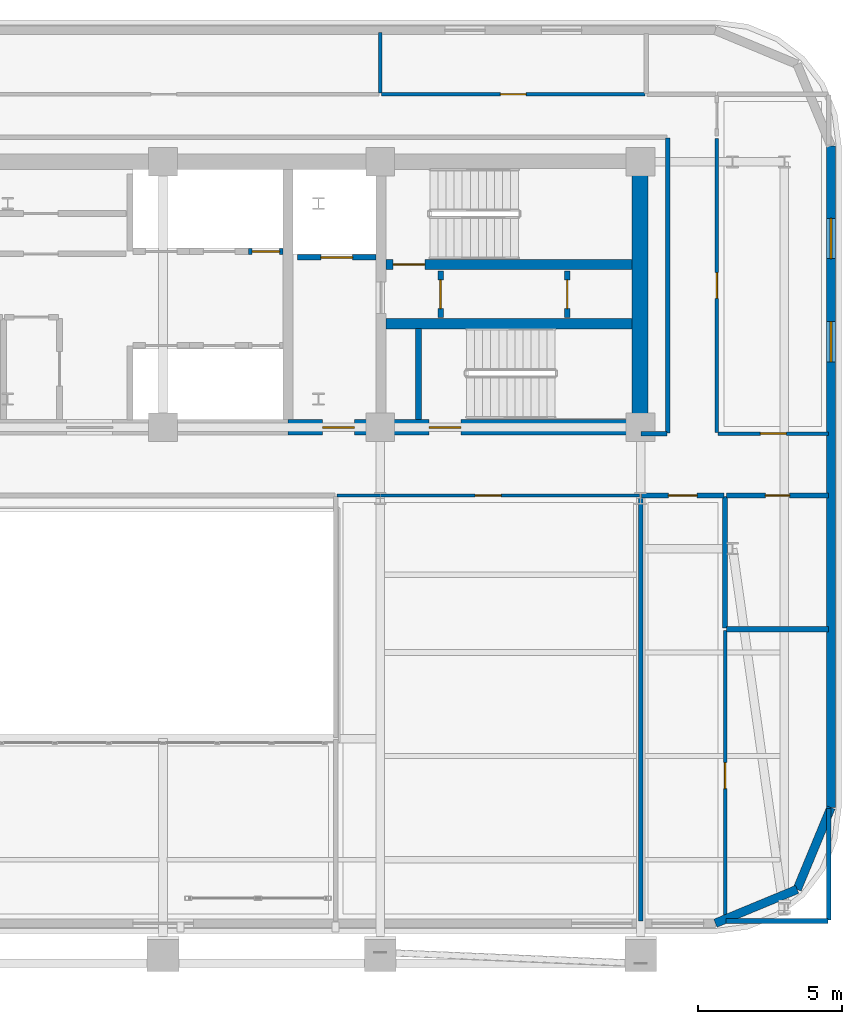
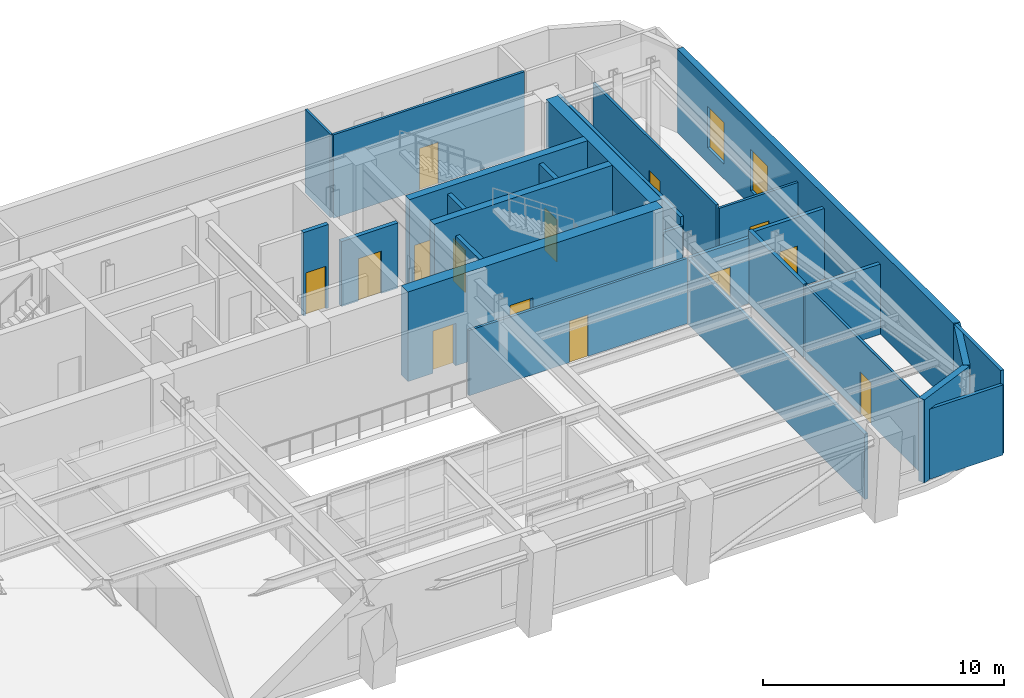
# One storey, part 8 of 13: 27 walls, 14 doors, 2 windows, 16 openings.
"""IFC4 building model written with IfcOpenShell, lengths in metres."""

from ifc_helpers import new_model, si_unit, direction, frame, frame_2d, origin, place, context, subcontext, project, spatial, rectangle, extrude, material, layer, layer_set, type_object, element, fill, save


model = new_model("IFC4")

# Units and contexts
model_context = context("Model", 3, precision=1e-05, world=origin(), true_north=direction((0.0, 1.0)))
body_context = subcontext(model_context, "Body", "Model", "MODEL_VIEW")
ifc_project = project(units=[si_unit("LENGTHUNIT", "METRE"), si_unit("AREAUNIT", "SQUARE_METRE"), si_unit("VOLUMEUNIT", "CUBIC_METRE"), si_unit("PLANEANGLEUNIT", "RADIAN"), si_unit("MASSUNIT", "GRAM", prefix="KILO")], contexts=[model_context])

# Site, building, storey
site_placement = place(None, origin())
site = spatial("IfcSite", under=ifc_project, at=site_placement, CompositionType="ELEMENT")
building_placement = place(site_placement, origin())
building = spatial("IfcBuilding", under=site, at=building_placement, Name="Zarnavel Station Tower", CompositionType="ELEMENT")
storey_placement = place(building_placement, frame((0.0, 0.0, 183.85009765625)))
storey = spatial("IfcBuildingStorey", under=building, at=storey_placement, Name="L50", CompositionType="ELEMENT", Elevation=183.85009765625)

# Wall, opening, door
ifc_material_1 = material(Name="Concrete C50/60", Category="concrete")
ifc_layer_1 = layer(ifc_material_1, 0.35009765625)
ifc_layer_set_1 = layer_set([ifc_layer_1], Name="CW_350")
wall_type_1 = type_object("IfcWallType", Name="CW_350", PredefinedType="SHEAR", material=ifc_layer_set_1)
wall_1_placement = place(storey_placement, frame((45.10498046875, 33.47998046875, 0.0), z_axis=(0.0, 0.0, 1.0), x_axis=(-1.0, 0.0, 0.0)))
wall_1 = element("IfcWall", 1, at=wall_1_placement, inside=storey, type_object=wall_type_1, Name="L50 Rear Core Shear Wall DIV-H2", PredefinedType="SHEAR", context=body_context, shape_type="SweptSolid", body=[
    extrude(rectangle(XDim=8.550048828125, YDim=0.35009765625, at=frame_2d((4.27490234375, 0.0))), origin(), (0.0, 0.0, 1.0), 4.5498046875),
])
opening_1_placement = place(wall_1_placement, frame((7.205078125, 0.0, 0.0)))
opening_1 = element("IfcOpeningElement", 2, at=opening_1_placement, cuts=wall_1, Name="Opening FD01", PredefinedType="OPENING", context=body_context, shape_type="SweptSolid", body=[
    extrude(rectangle(XDim=1.10009765625, YDim=2.14990234375, at=frame_2d((0.550048828125, 1.074951171875))), frame((0.0, 0.18505859375, 0.0), z_axis=(0.0, -1.0, 0.0), x_axis=(1.0, 0.0, 0.0)), (0.0, 0.0, 1.0), 0.3701171875),
])
ifc_material_2 = material(Name="Painted Galvanised Steel and Hardwood Leaf", Category="steel")
door_type_1 = type_object("IfcDoorType", Name="ID_STAIR_1100", OperationType="NOTDEFINED", PredefinedType="DOOR", material=ifc_material_2)
door_1_placement = place(opening_1_placement, origin())
door_1 = element("IfcDoor", 3, at=door_1_placement, inside=storey, type_object=door_type_1, Name="L50 Stair ST2 Lobby Fire Door", OperationType="SINGLE_SWING_RIGHT", OverallHeight=2.14990234375, OverallWidth=1.10009765625, PredefinedType="DOOR", context=body_context, shape_type="SweptSolid", body=[
    extrude(rectangle(XDim=1.10009765625, YDim=2.14990234375, at=frame_2d((0.550048828125, 1.074951171875))), frame((0.0, 0.02490234375, 0.0), z_axis=(0.0, -1.0, 0.0), x_axis=(1.0, 0.0, 0.0)), (0.0, 0.0, 1.0), 0.050048828125),
])
fill(opening_1, door_1)

# Wall
wall_2_placement = place(storey_placement, frame((36.554931640625, 31.419921875, 0.0), z_axis=(0.0, 0.0, 1.0), x_axis=(1.0, 0.0, 0.0)))
element("IfcWall", 4, at=wall_2_placement, inside=storey, type_object=wall_type_1, Name="L50 Rear Core Shear Wall DIV-H3", PredefinedType="SHEAR", context=body_context, shape_type="SweptSolid", body=[
    extrude(rectangle(XDim=8.550048828125, YDim=0.35009765625, at=frame_2d((4.27490234375, 0.0))), origin(), (0.0, 0.0, 1.0), 4.5498046875),
])

# Wall, openings, doors
ifc_material_3 = material(Name="Concrete C50/60", Category="concrete")
ifc_layer_2 = layer(ifc_material_3, 0.550048828125)
ifc_layer_set_2 = layer_set([ifc_layer_2], Name="CW_550")
wall_type_2 = type_object("IfcWallType", Name="CW_550", PredefinedType="SHEAR", material=ifc_layer_set_2)
wall_3_placement = place(storey_placement, frame((45.3798828125, 27.820068359375, 0.0), z_axis=(0.0, 0.0, 1.0), x_axis=(-1.0, 0.0, 0.0)))
wall_3 = element("IfcWall", 5, at=wall_3_placement, inside=storey, type_object=wall_type_2, Name="L50 Rear Core Shear Wall S-E", PredefinedType="SHEAR", context=body_context, shape_type="SweptSolid", body=[
    extrude(rectangle(XDim=12.22998046875, YDim=0.550048828125, at=frame_2d((6.114990234375, 0.0))), origin(), (0.0, 0.0, 1.0), 4.5498046875),
])
opening_2_placement = place(wall_3_placement, frame((9.929931640625, 0.0, 0.0)))
opening_2 = element("IfcOpeningElement", 6, at=opening_2_placement, cuts=wall_3, Name="Opening FD01", PredefinedType="OPENING", context=body_context, shape_type="SweptSolid", body=[
    extrude(rectangle(XDim=1.10009765625, YDim=2.14990234375, at=frame_2d((0.550048828125, 1.074951171875))), frame((0.0, 0.284912109375, 0.0), z_axis=(0.0, -1.0, 0.0), x_axis=(1.0, 0.0, 0.0)), (0.0, 0.0, 1.0), 0.570068359375),
])
opening_3_placement = place(wall_3_placement, frame((6.22998046875, 0.0, 0.0)))
opening_3 = element("IfcOpeningElement", 7, at=opening_3_placement, cuts=wall_3, Name="Opening FD01", PredefinedType="OPENING", context=body_context, shape_type="SweptSolid", body=[
    extrude(rectangle(XDim=1.10009765625, YDim=2.14990234375, at=frame_2d((0.550048828125, 1.074951171875))), frame((0.0, 0.284912109375, 0.0), z_axis=(0.0, -1.0, 0.0), x_axis=(1.0, 0.0, 0.0)), (0.0, 0.0, 1.0), 0.570068359375),
])
door_2_placement = place(opening_2_placement, origin())
door_2 = element("IfcDoor", 8, at=door_2_placement, inside=storey, type_object=door_type_1, Name="L50 East Firefighting Lobby Door", OperationType="SINGLE_SWING_LEFT", OverallHeight=2.14990234375, OverallWidth=1.10009765625, PredefinedType="DOOR", context=body_context, shape_type="SweptSolid", body=[
    extrude(rectangle(XDim=1.10009765625, YDim=2.14990234375, at=frame_2d((0.550048828125, 1.074951171875))), frame((0.0, 0.02490234375, 0.0), z_axis=(0.0, -1.0, 0.0), x_axis=(1.0, 0.0, 0.0)), (0.0, 0.0, 1.0), 0.050048828125),
])
fill(opening_2, door_2)
door_3_placement = place(opening_3_placement, origin())
door_3 = element("IfcDoor", 9, at=door_3_placement, inside=storey, type_object=door_type_1, Name="L50 Stair ST3 Corridor Fire Door", OperationType="SINGLE_SWING_RIGHT", OverallHeight=2.14990234375, OverallWidth=1.10009765625, PredefinedType="DOOR", context=body_context, shape_type="SweptSolid", body=[
    extrude(rectangle(XDim=1.10009765625, YDim=2.14990234375, at=frame_2d((0.550048828125, 1.074951171875))), frame((0.0, 0.02490234375, 0.0), z_axis=(0.0, -1.0, 0.0), x_axis=(1.0, 0.0, 0.0)), (0.0, 0.0, 1.0), 0.050048828125),
])
fill(opening_3, door_3)

# Walls
wall_4_placement = place(storey_placement, frame((45.3798828125, 28.094970703125, 0.0), z_axis=(0.0, 0.0, 1.0), x_axis=(0.0, 1.0, 0.0)))
element("IfcWall", 10, at=wall_4_placement, inside=storey, type_object=wall_type_2, Name="L50 Rear Core Shear Wall E", PredefinedType="SHEAR", context=body_context, shape_type="SweptSolid", body=[
    extrude(rectangle(XDim=8.679931640625, YDim=0.550048828125, at=frame_2d((4.33984375, 0.0))), origin(), (0.0, 0.0, 1.0), 4.5498046875),
])
ifc_material_4 = material(Name="Precast concrete C45/55 (Dark Basalt Finish)", Category="masonry")
ifc_layer_3 = layer(ifc_material_4, 0.300048828125)
ifc_layer_set_3 = layer_set([ifc_layer_3], Name="EW_BASALT_300")
wall_type_3 = type_object("IfcWallType", Name="EW_BASALT_300", PredefinedType="SOLIDWALL", material=ifc_layer_set_3)
wall_5_placement = place(storey_placement, frame((50.842529296875, 11.75732421875, 0.0), z_axis=(0.0, 0.0, 1.0), x_axis=(-0.92389884758, -0.382636798336, 0.0)))
element("IfcWall", 11, at=wall_5_placement, inside=storey, type_object=wall_type_3, Name="L50 Exterior Basalt Masonry Frame Wall 01", PredefinedType="SOLIDWALL", context=body_context, shape_type="SweptSolid", body=[
    extrude(rectangle(XDim=3.07666015625, YDim=0.300048828125, at=frame_2d((1.538330078125, 0.0))), origin(), (0.0, 0.0, 1.0), 4.22998046875),
])
wall_6_placement = place(storey_placement, frame((52.02001953125, 14.60009765625, 0.0), z_axis=(0.0, 0.0, 1.0), x_axis=(-0.382676475685, -0.923882414032, 0.0)))
element("IfcWall", 12, at=wall_6_placement, inside=storey, type_object=wall_type_3, Name="L50 Exterior Basalt Masonry Frame Wall 02", PredefinedType="SOLIDWALL", context=body_context, shape_type="SweptSolid", body=[
    extrude(rectangle(XDim=3.076904296875, YDim=0.300048828125, at=frame_2d((1.53857421875, 0.0))), origin(), (0.0, 0.0, 1.0), 4.22998046875),
])

# Wall, openings, windows
wall_7_placement = place(storey_placement, frame((52.02001953125, 37.60009765625, 0.0), z_axis=(0.0, 0.0, 1.0), x_axis=(0.0, -1.0, 0.0)))
wall_7 = element("IfcWall", 13, at=wall_7_placement, inside=storey, type_object=wall_type_3, Name="L50 Exterior Basalt Masonry Frame Wall 03", PredefinedType="SOLIDWALL", context=body_context, shape_type="SweptSolid", body=[
    extrude(rectangle(XDim=23.0, YDim=0.300048828125, at=frame_2d((11.5, 0.0))), origin(), (0.0, 0.0, 1.0), 4.22998046875),
])
opening_4_placement = place(wall_7_placement, frame((2.51318359375, 0.0, 0.75)))
opening_4 = element("IfcOpeningElement", 14, at=opening_4_placement, cuts=wall_7, Name="Opening WN04", PredefinedType="OPENING", context=body_context, shape_type="SweptSolid", body=[
    extrude(rectangle(XDim=1.39990234375, YDim=2.10009765625, at=frame_2d((0.699951171875, 1.050048828125))), frame((0.0, 0.159912109375, 0.0), z_axis=(0.0, -1.0, 0.0), x_axis=(1.0, 0.0, 0.0)), (0.0, 0.0, 1.0), 0.320068359375),
])
opening_5_placement = place(wall_7_placement, frame((6.106689453125, 0.0, 0.75)))
opening_5 = element("IfcOpeningElement", 15, at=opening_5_placement, cuts=wall_7, Name="Opening WN04", PredefinedType="OPENING", context=body_context, shape_type="SweptSolid", body=[
    extrude(rectangle(XDim=1.39990234375, YDim=2.10009765625, at=frame_2d((0.699951171875, 1.050048828125))), frame((0.0, 0.159912109375, 0.0), z_axis=(0.0, -1.0, 0.0), x_axis=(1.0, 0.0, 0.0)), (0.0, 0.0, 1.0), 0.320068359375),
])
ifc_material_5 = material(Name="Thermally Broken Black Aluminium and Low-E Dark Glass", Category="aluminium")
window_type = type_object("IfcWindowType", Name="WN_1400x2100", PartitioningType="DOUBLE_PANEL_VERTICAL", PredefinedType="WINDOW", material=ifc_material_5)
window_1_placement = place(opening_4_placement, origin())
window_1 = element("IfcWindow", 16, at=window_1_placement, inside=storey, type_object=window_type, Name="L50 Recessed Facade Window 01", OverallHeight=2.10009765625, OverallWidth=1.39990234375, PartitioningType="SINGLE_PANEL", PredefinedType="WINDOW", context=body_context, shape_type="SweptSolid", body=[
    extrude(rectangle(XDim=1.39990234375, YDim=2.10009765625, at=frame_2d((0.699951171875, 1.050048828125))), frame((0.0, 0.030029296875, 0.0), z_axis=(0.0, -1.0, 0.0), x_axis=(1.0, 0.0, 0.0)), (0.0, 0.0, 1.0), 0.06005859375),
])
fill(opening_4, window_1)
window_2_placement = place(opening_5_placement, origin())
window_2 = element("IfcWindow", 17, at=window_2_placement, inside=storey, type_object=window_type, Name="L50 Recessed Facade Window 02", OverallHeight=2.10009765625, OverallWidth=1.39990234375, PartitioningType="SINGLE_PANEL", PredefinedType="WINDOW", context=body_context, shape_type="SweptSolid", body=[
    extrude(rectangle(XDim=1.39990234375, YDim=2.10009765625, at=frame_2d((0.699951171875, 1.050048828125))), frame((0.0, 0.030029296875, 0.0), z_axis=(0.0, -1.0, 0.0), x_axis=(1.0, 0.0, 0.0)), (0.0, 0.0, 1.0), 0.06005859375),
])
fill(opening_5, window_2)

# Wall, opening, door
ifc_material_6 = material(Name="Gypsum Twin-Stud Acoustic Fire Partition", Category="concrete")
ifc_layer_4 = layer(ifc_material_6, 0.159912109375)
ifc_layer_set_4 = layer_set([ifc_layer_4], Name="PT_DEMISE_160")
wall_type_4 = type_object("IfcWallType", Name="PT_DEMISE_160", PredefinedType="PARTITIONING", material=ifc_layer_set_4)
wall_8_placement = place(storey_placement, frame((45.43994140625, 25.449951171875, 0.0), z_axis=(0.0, 0.0, 1.0), x_axis=(1.0, 0.0, 0.0)))
wall_8 = element("IfcWall", 18, at=wall_8_placement, inside=storey, type_object=wall_type_4, Name="L50 Partition SLCOR-S-SLCON", PredefinedType="PARTITIONING", context=body_context, shape_type="SweptSolid", body=[
    extrude(rectangle(XDim=2.860107421875, YDim=0.159912109375, at=frame_2d((1.43017578125, 0.0))), origin(), (0.0, 0.0, 1.0), 3.309814453125),
])
opening_6_placement = place(wall_8_placement, frame((0.929931640625, 0.0, 0.0)))
opening_6 = element("IfcOpeningElement", 19, at=opening_6_placement, cuts=wall_8, Name="Opening FD02", PredefinedType="OPENING", context=body_context, shape_type="SweptSolid", body=[
    extrude(rectangle(XDim=1.0, YDim=2.14990234375, at=frame_2d((0.5, 1.074951171875))), frame((0.0, 0.08984375, 0.0), z_axis=(0.0, -1.0, 0.0), x_axis=(1.0, 0.0, 0.0)), (0.0, 0.0, 1.0), 0.179931640625),
])
ifc_material_7 = material(Name="Painted Galvanised Steel and Hardwood Leaf", Category="steel")
door_type_2 = type_object("IfcDoorType", Name="ID_ENTRY_1000", OperationType="NOTDEFINED", PredefinedType="DOOR", material=ifc_material_7)
door_4_placement = place(opening_6_placement, origin())
door_4 = element("IfcDoor", 20, at=door_4_placement, inside=storey, type_object=door_type_2, Name="L50 Door SLCOR-S-SLCON", OperationType="SINGLE_SWING_RIGHT", OverallHeight=2.14990234375, OverallWidth=1.0, PredefinedType="DOOR", context=body_context, shape_type="SweptSolid", body=[
    extrude(rectangle(XDim=1.0, YDim=2.14990234375, at=frame_2d((0.5, 1.074951171875))), frame((0.0, 0.02490234375, 0.0), z_axis=(0.0, -1.0, 0.0), x_axis=(1.0, 0.0, 0.0)), (0.0, 0.0, 1.0), 0.050048828125),
])
fill(opening_6, door_4)

# Walls
wall_9_placement = place(storey_placement, frame((45.39990234375, 10.659912109375, 0.0), z_axis=(0.0, 0.0, 1.0), x_axis=(0.0, 1.0, 0.0)))
element("IfcWall", 21, at=wall_9_placement, inside=storey, type_object=wall_type_4, Name="L50 Partition SLSAL-SLCON", PredefinedType="PARTITIONING", context=body_context, shape_type="SweptSolid", body=[
    extrude(rectangle(XDim=14.75, YDim=0.159912109375, at=frame_2d((7.375, 0.0))), origin(), (0.0, 0.0, 1.0), 3.309814453125),
])
wall_10_placement = place(storey_placement, frame((45.409912109375, 27.60009765625, 0.0), z_axis=(0.0, 0.0, 1.0), x_axis=(1.0, 0.0, 0.0)))
element("IfcWall", 22, at=wall_10_placement, inside=storey, type_object=wall_type_4, Name="L50 Enclosure Wall SLCOR-S", PredefinedType="PARTITIONING", context=body_context, shape_type="SweptSolid", body=[
    extrude(rectangle(XDim=0.91015625, YDim=0.159912109375, at=frame_2d((0.455078125, 0.0))), origin(), (0.0, 0.0, 1.0), 3.2998046875),
])
wall_11_placement = place(storey_placement, frame((46.35009765625, 27.6298828125, 0.0), z_axis=(0.0, 0.0, 1.0), x_axis=(0.0, 1.0, 0.0)))
element("IfcWall", 23, at=wall_11_placement, inside=storey, type_object=wall_type_4, Name="L50 Enclosure Wall SLCOR-E", PredefinedType="PARTITIONING", context=body_context, shape_type="SweptSolid", body=[
    extrude(rectangle(XDim=10.240234375, YDim=0.159912109375, at=frame_2d((5.1201171875, 0.0))), origin(), (0.0, 0.0, 1.0), 3.7099609375),
])
wall_12_placement = place(storey_placement, frame((48.3701171875, 10.659912109375, 0.0), z_axis=(0.0, 0.0, 1.0), x_axis=(1.0, 0.0, 0.0)))
element("IfcWall", 24, at=wall_12_placement, inside=storey, type_object=wall_type_4, Name="L50 Enclosure Wall SLSTR", PredefinedType="PARTITIONING", context=body_context, shape_type="SweptSolid", body=[
    extrude(rectangle(XDim=3.539794921875, YDim=0.159912109375, at=frame_2d((1.77001953125, 0.0))), origin(), (0.0, 0.0, 1.0), 3.559814453125),
])
wall_13_placement = place(storey_placement, frame((51.93994140625, 10.68994140625, 0.0), z_axis=(0.0, 0.0, 1.0), x_axis=(0.0, 1.0, 0.0)))
element("IfcWall", 25, at=wall_13_placement, inside=storey, type_object=wall_type_4, Name="L50 Enclosure Wall SLSTR", PredefinedType="PARTITIONING", context=body_context, shape_type="SweptSolid", body=[
    extrude(rectangle(XDim=3.880126953125, YDim=0.159912109375, at=frame_2d((1.93994140625, 0.0))), origin(), (0.0, 0.0, 1.0), 4.22998046875),
])

# Wall, opening, door
ifc_material_8 = material(Name="Gypsum Metal-Stud Interior Partition", Category="concrete")
ifc_layer_5 = layer(ifc_material_8, 0.1201171875)
ifc_layer_set_5 = layer_set([ifc_layer_5], Name="PT_ROOM_120")
wall_type_5 = type_object("IfcWallType", Name="PT_ROOM_120", PredefinedType="PARTITIONING", material=ifc_layer_set_5)
wall_14_placement = place(storey_placement, frame((34.840087890625, 25.449951171875, 0.0), z_axis=(0.0, 0.0, 1.0), x_axis=(1.0, 0.0, 0.0)))
wall_14 = element("IfcWall", 26, at=wall_14_placement, inside=storey, type_object=wall_type_5, Name="L50 Partition SLCOR-S-SLSAL", PredefinedType="PARTITIONING", context=body_context, shape_type="SweptSolid", body=[
    extrude(rectangle(XDim=10.52001953125, YDim=0.1201171875, at=frame_2d((5.260009765625, 0.0))), origin(), (0.0, 0.0, 1.0), 3.309814453125),
])
opening_7_placement = place(wall_14_placement, frame((4.81005859375, 0.0, 0.0)))
opening_7 = element("IfcOpeningElement", 27, at=opening_7_placement, cuts=wall_14, Name="Opening ID01", PredefinedType="OPENING", context=body_context, shape_type="SweptSolid", body=[
    extrude(rectangle(XDim=0.89990234375, YDim=2.10009765625, at=frame_2d((0.449951171875, 1.050048828125))), frame((0.0, 0.070068359375, 0.0), z_axis=(0.0, -1.0, 0.0), x_axis=(1.0, 0.0, 0.0)), (0.0, 0.0, 1.0), 0.14013671875),
])
ifc_material_9 = material(Name="Painted Galvanised Steel and Hardwood Leaf", Category="steel")
door_type_3 = type_object("IfcDoorType", Name="ID_ROOM_900", OperationType="NOTDEFINED", PredefinedType="DOOR", material=ifc_material_9)
door_5_placement = place(opening_7_placement, origin())
door_5 = element("IfcDoor", 28, at=door_5_placement, inside=storey, type_object=door_type_3, Name="L50 Door SLCOR-S-SLSAL", OperationType="SINGLE_SWING_LEFT", OverallHeight=2.10009765625, OverallWidth=0.89990234375, PredefinedType="DOOR", context=body_context, shape_type="SweptSolid", body=[
    extrude(rectangle(XDim=0.89990234375, YDim=2.10009765625, at=frame_2d((0.449951171875, 1.050048828125))), frame((0.0, 0.02490234375, 0.0), z_axis=(0.0, -1.0, 0.0), x_axis=(1.0, 0.0, 0.0)), (0.0, 0.0, 1.0), 0.050048828125),
])
fill(opening_7, door_5)

wall_15_placement = place(storey_placement, frame((48.090087890625, 27.60009765625, 0.0), z_axis=(0.0, 0.0, 1.0), x_axis=(1.0, 0.0, 0.0)))
wall_15 = element("IfcWall", 29, at=wall_15_placement, inside=storey, type_object=wall_type_5, Name="L50 Partition SLCOR-S-SLNE", PredefinedType="PARTITIONING", context=body_context, shape_type="SweptSolid", body=[
    extrude(rectangle(XDim=3.849853515625, YDim=0.1201171875, at=frame_2d((1.9248046875, 0.0))), origin(), (0.0, 0.0, 1.0), 3.559814453125),
])
opening_8_placement = place(wall_15_placement, frame((1.47509765625, 0.0, 0.0)))
opening_8 = element("IfcOpeningElement", 30, at=opening_8_placement, cuts=wall_15, Name="Opening ID01", PredefinedType="OPENING", context=body_context, shape_type="SweptSolid", body=[
    extrude(rectangle(XDim=0.89990234375, YDim=2.10009765625, at=frame_2d((0.449951171875, 1.050048828125))), frame((0.0, 0.070068359375, 0.0), z_axis=(0.0, -1.0, 0.0), x_axis=(1.0, 0.0, 0.0)), (0.0, 0.0, 1.0), 0.14013671875),
])
door_6_placement = place(opening_8_placement, origin())
door_6 = element("IfcDoor", 31, at=door_6_placement, inside=storey, type_object=door_type_3, Name="L50 Door SLCOR-S-SLNE", OperationType="SINGLE_SWING_LEFT", OverallHeight=2.10009765625, OverallWidth=0.89990234375, PredefinedType="DOOR", context=body_context, shape_type="SweptSolid", body=[
    extrude(rectangle(XDim=0.89990234375, YDim=2.10009765625, at=frame_2d((0.449951171875, 1.050048828125))), frame((0.0, 0.02490234375, 0.0), z_axis=(0.0, -1.0, 0.0), x_axis=(1.0, 0.0, 0.0)), (0.0, 0.0, 1.0), 0.050048828125),
])
fill(opening_8, door_6)

wall_16_placement = place(storey_placement, frame((48.050048828125, 27.639892578125, 0.0), z_axis=(0.0, 0.0, 1.0), x_axis=(0.0, 1.0, 0.0)))
wall_16 = element("IfcWall", 32, at=wall_16_placement, inside=storey, type_object=wall_type_5, Name="L50 Partition SLCOR-E-SLNE", PredefinedType="PARTITIONING", context=body_context, shape_type="SweptSolid", body=[
    extrude(rectangle(XDim=10.22021484375, YDim=0.1201171875, at=frame_2d((5.110107421875, 0.0))), origin(), (0.0, 0.0, 1.0), 3.7099609375),
])
opening_9_placement = place(wall_16_placement, frame((4.659912109375, 0.0, 0.0)))
opening_9 = element("IfcOpeningElement", 33, at=opening_9_placement, cuts=wall_16, Name="Opening ID01", PredefinedType="OPENING", context=body_context, shape_type="SweptSolid", body=[
    extrude(rectangle(XDim=0.89990234375, YDim=2.10009765625, at=frame_2d((0.449951171875, 1.050048828125))), frame((0.0, 0.070068359375, 0.0), z_axis=(0.0, -1.0, 0.0), x_axis=(1.0, 0.0, 0.0)), (0.0, 0.0, 1.0), 0.14013671875),
])
door_7_placement = place(opening_9_placement, origin())
door_7 = element("IfcDoor", 34, at=door_7_placement, inside=storey, type_object=door_type_3, Name="L50 Door SLCOR-E-SLNE", OperationType="SINGLE_SWING_LEFT", OverallHeight=2.10009765625, OverallWidth=0.89990234375, PredefinedType="DOOR", context=body_context, shape_type="SweptSolid", body=[
    extrude(rectangle(XDim=0.89990234375, YDim=2.10009765625, at=frame_2d((0.449951171875, 1.050048828125))), frame((0.0, 0.02490234375, 0.0), z_axis=(0.0, -1.0, 0.0), x_axis=(1.0, 0.0, 0.0)), (0.0, 0.0, 1.0), 0.050048828125),
])
fill(opening_9, door_7)

wall_17_placement = place(storey_placement, frame((36.389892578125, 39.39990234375, 0.0), z_axis=(0.0, 0.0, 1.0), x_axis=(1.0, 0.0, 0.0)))
wall_17 = element("IfcWall", 35, at=wall_17_placement, inside=storey, type_object=wall_type_5, Name="L50 Partition SLCOR-N-SLNB", PredefinedType="PARTITIONING", context=body_context, shape_type="SweptSolid", body=[
    extrude(rectangle(XDim=9.170166015625, YDim=0.1201171875, at=frame_2d((4.5849609375, 0.0))), origin(), (0.0, 0.0, 1.0), 4.22998046875),
])
opening_10_placement = place(wall_17_placement, frame((4.135009765625, 0.0, 0.0)))
opening_10 = element("IfcOpeningElement", 36, at=opening_10_placement, cuts=wall_17, Name="Opening ID01", PredefinedType="OPENING", context=body_context, shape_type="SweptSolid", body=[
    extrude(rectangle(XDim=0.89990234375, YDim=2.10009765625, at=frame_2d((0.449951171875, 1.050048828125))), frame((0.0, 0.070068359375, 0.0), z_axis=(0.0, -1.0, 0.0), x_axis=(1.0, 0.0, 0.0)), (0.0, 0.0, 1.0), 0.14013671875),
])
door_8_placement = place(opening_10_placement, origin())
door_8 = element("IfcDoor", 37, at=door_8_placement, inside=storey, type_object=door_type_3, Name="L50 Door SLCOR-N-SLNB", OperationType="SINGLE_SWING_RIGHT", OverallHeight=2.10009765625, OverallWidth=0.89990234375, PredefinedType="DOOR", context=body_context, shape_type="SweptSolid", body=[
    extrude(rectangle(XDim=0.89990234375, YDim=2.10009765625, at=frame_2d((0.449951171875, 1.050048828125))), frame((0.0, 0.02490234375, 0.0), z_axis=(0.0, -1.0, 0.0), x_axis=(1.0, 0.0, 0.0)), (0.0, 0.0, 1.0), 0.050048828125),
])
fill(opening_10, door_8)

wall_18_placement = place(storey_placement, frame((48.340087890625, 10.659912109375, 0.0), z_axis=(0.0, 0.0, 1.0), x_axis=(0.0, 1.0, 0.0)))
wall_18 = element("IfcWall", 38, at=wall_18_placement, inside=storey, type_object=wall_type_5, Name="L50 Partition SLCON-SLSTR", PredefinedType="PARTITIONING", context=body_context, shape_type="SweptSolid", body=[
    extrude(rectangle(XDim=10.10009765625, YDim=0.1201171875, at=frame_2d((5.050048828125, 0.0))), origin(), (0.0, 0.0, 1.0), 3.7099609375),
])
opening_11_placement = place(wall_18_placement, frame((4.60009765625, 0.0, 0.0)))
opening_11 = element("IfcOpeningElement", 39, at=opening_11_placement, cuts=wall_18, Name="Opening ID01", PredefinedType="OPENING", context=body_context, shape_type="SweptSolid", body=[
    extrude(rectangle(XDim=0.89990234375, YDim=2.10009765625, at=frame_2d((0.449951171875, 1.050048828125))), frame((0.0, 0.070068359375, 0.0), z_axis=(0.0, -1.0, 0.0), x_axis=(1.0, 0.0, 0.0)), (0.0, 0.0, 1.0), 0.14013671875),
])
door_9_placement = place(opening_11_placement, origin())
door_9 = element("IfcDoor", 40, at=door_9_placement, inside=storey, type_object=door_type_3, Name="L50 Door SLCON-SLSTR", OperationType="SINGLE_SWING_LEFT", OverallHeight=2.10009765625, OverallWidth=0.89990234375, PredefinedType="DOOR", context=body_context, shape_type="SweptSolid", body=[
    extrude(rectangle(XDim=0.89990234375, YDim=2.10009765625, at=frame_2d((0.449951171875, 1.050048828125))), frame((0.0, 0.02490234375, 0.0), z_axis=(0.0, -1.0, 0.0), x_axis=(1.0, 0.0, 0.0)), (0.0, 0.0, 1.0), 0.050048828125),
])
fill(opening_11, door_9)

# Wall
wall_19_placement = place(storey_placement, frame((36.35009765625, 39.43994140625, 0.0), z_axis=(0.0, 0.0, 1.0), x_axis=(0.0, 1.0, 0.0)))
element("IfcWall", 41, at=wall_19_placement, inside=storey, type_object=wall_type_5, Name="L50 Partition SLNS-SLNB", PredefinedType="PARTITIONING", context=body_context, shape_type="SweptSolid", body=[
    extrude(rectangle(XDim=2.10009765625, YDim=0.1201171875, at=frame_2d((1.050048828125, 0.0))), origin(), (0.0, 0.0, 1.0), 4.22998046875),
])

# Wall, opening, door
ifc_material_10 = material(Name="Precast concrete C45/55 (Fire Shaft Blockwork)", Category="masonry")
ifc_layer_6 = layer(ifc_material_10, 0.199951171875)
ifc_layer_set_6 = layer_set([ifc_layer_6], Name="PT_SHAFT_200")
wall_type_6 = type_object("IfcWallType", Name="PT_SHAFT_200", PredefinedType="PARTITIONING", material=ifc_layer_set_6)
wall_20_placement = place(storey_placement, frame((33.47509765625, 33.72998046875, 0.0), z_axis=(0.0, 0.0, 1.0), x_axis=(1.0, 0.0, 0.0)))
wall_20 = element("IfcWall", 42, at=wall_20_placement, inside=storey, type_object=wall_type_6, Name="L50 Lift FFL-02 Shaft Front Wall", PredefinedType="PARTITIONING", context=body_context, shape_type="SweptSolid", body=[
    extrude(rectangle(XDim=2.724853515625, YDim=0.199951171875, at=frame_2d((1.3623046875, 0.0))), origin(), (0.0, 0.0, 1.0), 3.2998046875),
])
opening_12_placement = place(wall_20_placement, frame((0.8125, 0.0, 0.0)))
opening_12 = element("IfcOpeningElement", 43, at=opening_12_placement, cuts=wall_20, Name="Opening LD01", PredefinedType="OPENING", context=body_context, shape_type="SweptSolid", body=[
    extrude(rectangle(XDim=1.10009765625, YDim=2.14990234375, at=frame_2d((0.550048828125, 1.074951171875))), frame((0.0, 0.10986328125, 0.0), z_axis=(0.0, -1.0, 0.0), x_axis=(1.0, 0.0, 0.0)), (0.0, 0.0, 1.0), 0.219970703125),
])
ifc_material_11 = material(Name="Painted Galvanised Steel and Hardwood Leaf", Category="steel")
door_type_4 = type_object("IfcDoorType", Name="LD_FF_1100", OperationType="DOUBLE_DOOR_SLIDING", PredefinedType="DOOR", material=ifc_material_11)
door_10_placement = place(opening_12_placement, origin())
door_10 = element("IfcDoor", 44, at=door_10_placement, inside=storey, type_object=door_type_4, Name="L50 Lift FFL-02 Sliding Landing Door", OperationType="DOUBLE_DOOR_SLIDING", OverallHeight=2.14990234375, OverallWidth=1.10009765625, PredefinedType="DOOR", context=body_context, shape_type="SweptSolid", body=[
    extrude(rectangle(XDim=1.10009765625, YDim=2.14990234375, at=frame_2d((0.550048828125, 1.074951171875))), frame((0.0, 0.02490234375, 0.0), z_axis=(0.0, -1.0, 0.0), x_axis=(1.0, 0.0, 0.0)), (0.0, 0.0, 1.0), 0.050048828125),
])
fill(opening_12, door_10)

wall_21_placement = place(storey_placement, frame((31.77490234375, 33.929931640625, 0.0), z_axis=(0.0, 0.0, 1.0), x_axis=(1.0, 0.0, 0.0)))
wall_21 = element("IfcWall", 45, at=wall_21_placement, inside=storey, type_object=wall_type_6, Name="L50 Lift PL-M3 Shaft Front Wall", PredefinedType="PARTITIONING", context=body_context, shape_type="SweptSolid", body=[
    extrude(rectangle(XDim=1.2001953125, YDim=0.199951171875, at=frame_2d((0.60009765625, 0.0))), origin(), (0.0, 0.0, 1.0), 4.22998046875),
])
opening_13_placement = place(wall_21_placement, frame((0.125, 0.0, 0.0)))
opening_13 = element("IfcOpeningElement", 46, at=opening_13_placement, cuts=wall_21, Name="Opening LD03", PredefinedType="OPENING", context=body_context, shape_type="SweptSolid", body=[
    extrude(rectangle(XDim=0.949951171875, YDim=2.14990234375, at=frame_2d((0.47509765625, 1.074951171875))), frame((0.0, 0.10986328125, 0.0), z_axis=(0.0, -1.0, 0.0), x_axis=(1.0, 0.0, 0.0)), (0.0, 0.0, 1.0), 0.219970703125),
])
ifc_material_12 = material(Name="Painted Galvanised Steel and Hardwood Leaf", Category="steel")
door_type_5 = type_object("IfcDoorType", Name="LD_PAX_0950", OperationType="DOUBLE_DOOR_SLIDING", PredefinedType="DOOR", material=ifc_material_12)
door_11_placement = place(opening_13_placement, origin())
door_11 = element("IfcDoor", 47, at=door_11_placement, inside=storey, type_object=door_type_5, Name="L50 Lift PL-M3 Sliding Landing Door", OperationType="DOUBLE_DOOR_SLIDING", OverallHeight=2.14990234375, OverallWidth=0.949951171875, PredefinedType="DOOR", context=body_context, shape_type="SweptSolid", body=[
    extrude(rectangle(XDim=0.949951171875, YDim=2.14990234375, at=frame_2d((0.47509765625, 1.074951171875))), frame((0.0, 0.02490234375, 0.0), z_axis=(0.0, -1.0, 0.0), x_axis=(1.0, 0.0, 0.0)), (0.0, 0.0, 1.0), 0.050048828125),
])
fill(opening_13, door_11)

# Wall
wall_22_placement = place(storey_placement, frame((37.679931640625, 28.094970703125, 0.0), z_axis=(0.0, 0.0, 1.0), x_axis=(0.0, 1.0, 0.0)))
element("IfcWall", 48, at=wall_22_placement, inside=storey, type_object=wall_type_6, Name="L50 Stair ST3 West Shaft Wall", PredefinedType="PARTITIONING", context=body_context, shape_type="SweptSolid", body=[
    extrude(rectangle(XDim=3.155029296875, YDim=0.199951171875, at=frame_2d((1.57763671875, 0.0))), origin(), (0.0, 0.0, 1.0), 3.60986328125),
])

# Wall, opening, door
wall_23_placement = place(storey_placement, frame((38.449951171875, 31.639892578125, 0.0), z_axis=(0.0, 0.0, 1.0), x_axis=(0.0, 1.0, 0.0)))
wall_23 = element("IfcWall", 49, at=wall_23_placement, inside=storey, type_object=wall_type_6, Name="L50 Partition ESTV-CEA", PredefinedType="PARTITIONING", context=body_context, shape_type="SweptSolid", body=[
    extrude(rectangle(XDim=1.6201171875, YDim=0.199951171875, at=frame_2d((0.81005859375, 0.0))), origin(), (0.0, 0.0, 1.0), 4.22998046875),
])
opening_14_placement = place(wall_23_placement, frame((0.31005859375, 0.0, 0.0)))
opening_14 = element("IfcOpeningElement", 50, at=opening_14_placement, cuts=wall_23, Name="Opening FD02", PredefinedType="OPENING", context=body_context, shape_type="SweptSolid", body=[
    extrude(rectangle(XDim=1.0, YDim=2.14990234375, at=frame_2d((0.5, 1.074951171875))), frame((0.0, 0.10986328125, 0.0), z_axis=(0.0, -1.0, 0.0), x_axis=(1.0, 0.0, 0.0)), (0.0, 0.0, 1.0), 0.219970703125),
])
door_12_placement = place(opening_14_placement, origin())
door_12 = element("IfcDoor", 51, at=door_12_placement, inside=storey, type_object=door_type_2, Name="L50 Door ESTV-CEA", OperationType="SINGLE_SWING_RIGHT", OverallHeight=2.14990234375, OverallWidth=1.0, PredefinedType="DOOR", context=body_context, shape_type="SweptSolid", body=[
    extrude(rectangle(XDim=1.0, YDim=2.14990234375, at=frame_2d((0.5, 1.074951171875))), frame((0.0, 0.02490234375, 0.0), z_axis=(0.0, -1.0, 0.0), x_axis=(1.0, 0.0, 0.0)), (0.0, 0.0, 1.0), 0.050048828125),
])
fill(opening_14, door_12)

wall_24_placement = place(storey_placement, frame((42.85009765625, 31.639892578125, 0.0), z_axis=(0.0, 0.0, 1.0), x_axis=(0.0, 1.0, 0.0)))
wall_24 = element("IfcWall", 52, at=wall_24_placement, inside=storey, type_object=wall_type_6, Name="L50 Partition CEA-CEB", PredefinedType="PARTITIONING", context=body_context, shape_type="SweptSolid", body=[
    extrude(rectangle(XDim=1.6201171875, YDim=0.199951171875, at=frame_2d((0.81005859375, 0.0))), origin(), (0.0, 0.0, 1.0), 4.22998046875),
])
opening_15_placement = place(wall_24_placement, frame((0.31005859375, 0.0, 0.0)))
opening_15 = element("IfcOpeningElement", 53, at=opening_15_placement, cuts=wall_24, Name="Opening FD02", PredefinedType="OPENING", context=body_context, shape_type="SweptSolid", body=[
    extrude(rectangle(XDim=1.0, YDim=2.14990234375, at=frame_2d((0.5, 1.074951171875))), frame((0.0, 0.10986328125, 0.0), z_axis=(0.0, -1.0, 0.0), x_axis=(1.0, 0.0, 0.0)), (0.0, 0.0, 1.0), 0.219970703125),
])
door_13_placement = place(opening_15_placement, origin())
door_13 = element("IfcDoor", 54, at=door_13_placement, inside=storey, type_object=door_type_2, Name="L50 Door CEA-CEB", OperationType="SINGLE_SWING_LEFT", OverallHeight=2.14990234375, OverallWidth=1.0, PredefinedType="DOOR", context=body_context, shape_type="SweptSolid", body=[
    extrude(rectangle(XDim=1.0, YDim=2.14990234375, at=frame_2d((0.5, 1.074951171875))), frame((0.0, 0.02490234375, 0.0), z_axis=(0.0, -1.0, 0.0), x_axis=(1.0, 0.0, 0.0)), (0.0, 0.0, 1.0), 0.050048828125),
])
fill(opening_15, door_13)

ifc_material_13 = material(Name="Moisture-Resistant Plumbing Chase Wall", Category="concrete")
ifc_layer_7 = layer(ifc_material_13, 0.179931640625)
ifc_layer_set_7 = layer_set([ifc_layer_7], Name="PW_PLUMB_180")
wall_type_7 = type_object("IfcWallType", Name="PW_PLUMB_180", PredefinedType="PLUMBINGWALL", material=ifc_layer_set_7)
wall_25_placement = place(storey_placement, frame((48.3798828125, 25.449951171875, 0.0), z_axis=(0.0, 0.0, 1.0), x_axis=(1.0, 0.0, 0.0)))
wall_25 = element("IfcWall", 55, at=wall_25_placement, inside=storey, type_object=wall_type_7, Name="L50 Partition SLCOR-S-SLWCM", PredefinedType="PLUMBINGWALL", context=body_context, shape_type="SweptSolid", body=[
    extrude(rectangle(XDim=3.56005859375, YDim=0.179931640625, at=frame_2d((1.780029296875, 0.0))), origin(), (0.0, 0.0, 1.0), 3.559814453125),
])
opening_16_placement = place(wall_25_placement, frame((1.35498046875, 0.0, 0.0)))
opening_16 = element("IfcOpeningElement", 56, at=opening_16_placement, cuts=wall_25, Name="Opening ID02", PredefinedType="OPENING", context=body_context, shape_type="SweptSolid", body=[
    extrude(rectangle(XDim=0.85009765625, YDim=2.10009765625, at=frame_2d((0.425048828125, 1.050048828125))), frame((0.0, 0.099853515625, 0.0), z_axis=(0.0, -1.0, 0.0), x_axis=(1.0, 0.0, 0.0)), (0.0, 0.0, 1.0), 0.199951171875),
])
ifc_material_14 = material(Name="Painted Galvanised Steel and Hardwood Leaf", Category="steel")
door_type_6 = type_object("IfcDoorType", Name="ID_BATH_850", OperationType="NOTDEFINED", PredefinedType="DOOR", material=ifc_material_14)
door_14_placement = place(opening_16_placement, origin())
door_14 = element("IfcDoor", 57, at=door_14_placement, inside=storey, type_object=door_type_6, Name="L50 Door SLCOR-S-SLWCM", OperationType="SINGLE_SWING_LEFT", OverallHeight=2.10009765625, OverallWidth=0.85009765625, PredefinedType="DOOR", context=body_context, shape_type="SweptSolid", body=[
    extrude(rectangle(XDim=0.85009765625, YDim=2.10009765625, at=frame_2d((0.425048828125, 1.050048828125))), frame((0.0, 0.02490234375, 0.0), z_axis=(0.0, -1.0, 0.0), x_axis=(1.0, 0.0, 0.0)), (0.0, 0.0, 1.0), 0.050048828125),
])
fill(opening_16, door_14)

# Walls
wall_26_placement = place(storey_placement, frame((48.340087890625, 20.840087890625, 0.0), z_axis=(0.0, 0.0, 1.0), x_axis=(0.0, 1.0, 0.0)))
element("IfcWall", 58, at=wall_26_placement, inside=storey, type_object=wall_type_7, Name="L50 Partition SLCON-SLWCM", PredefinedType="PLUMBINGWALL", context=body_context, shape_type="SweptSolid", body=[
    extrude(rectangle(XDim=4.56982421875, YDim=0.179931640625, at=frame_2d((2.284912109375, 0.0))), origin(), (0.0, 0.0, 1.0), 3.7099609375),
])
wall_27_placement = place(storey_placement, frame((48.3798828125, 20.800048828125, 0.0), z_axis=(0.0, 0.0, 1.0), x_axis=(1.0, 0.0, 0.0)))
element("IfcWall", 59, at=wall_27_placement, inside=storey, type_object=wall_type_7, Name="L50 Partition SLSTR-SLWCM", PredefinedType="PLUMBINGWALL", context=body_context, shape_type="SweptSolid", body=[
    extrude(rectangle(XDim=3.56005859375, YDim=0.179931640625, at=frame_2d((1.780029296875, 0.0))), origin(), (0.0, 0.0, 1.0), 3.559814453125),
])

save(model, "model.ifc")
